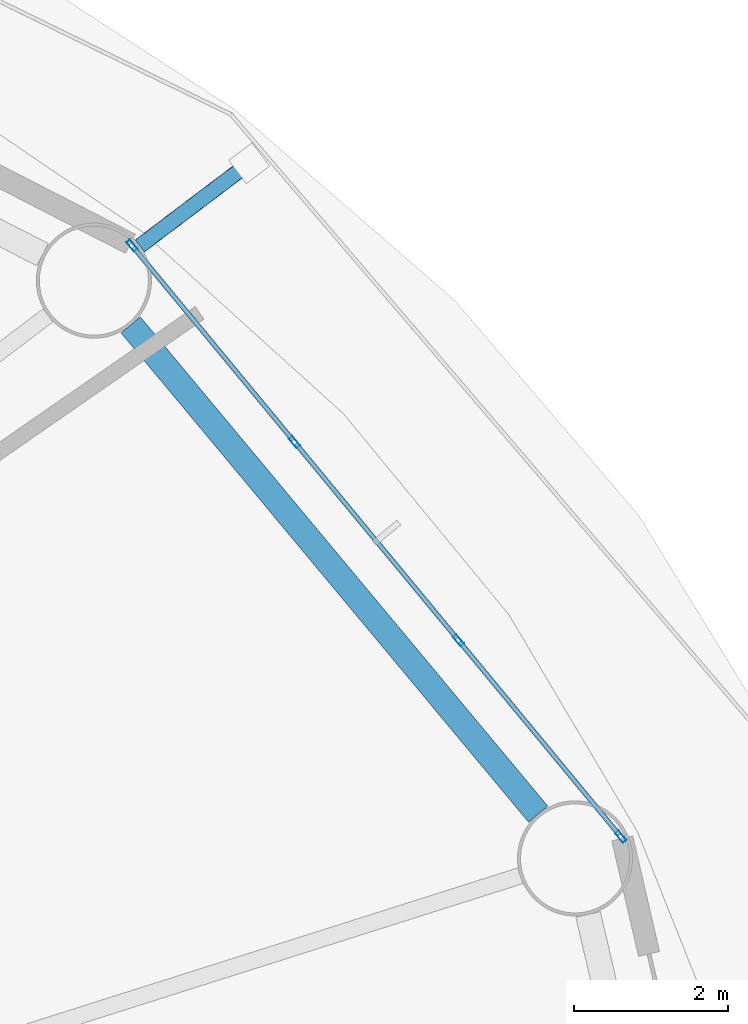
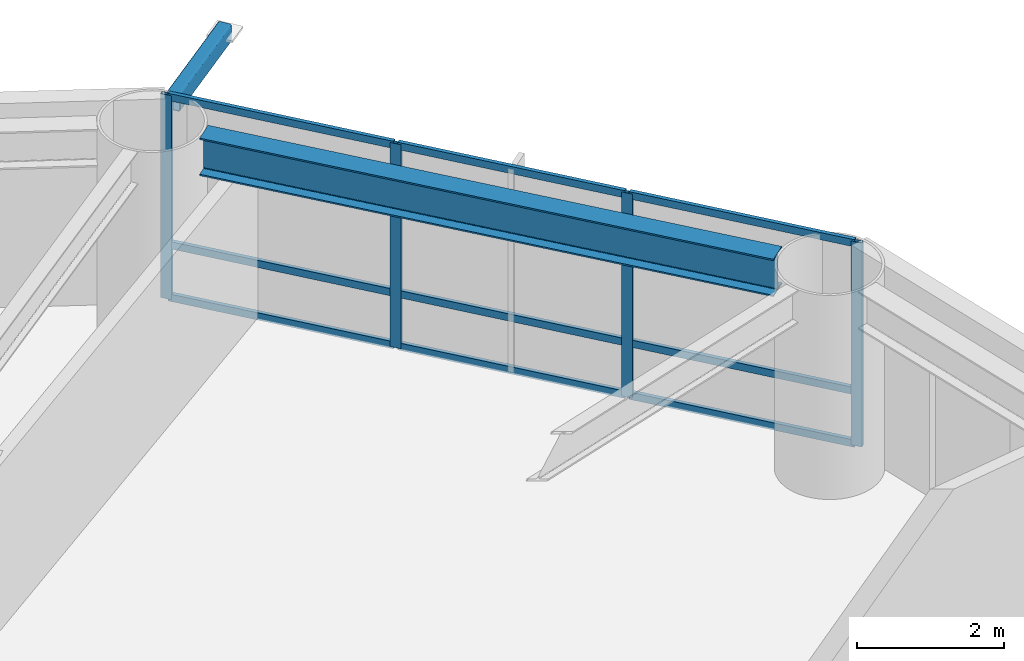
# One storey, part 14 of 28: 14 members, 1 beam, 1 element without a shape of its own.
"""IFC4 building model written with IfcOpenShell, lengths in metres."""

from ifc_helpers import new_model, si_unit, direction, frame, origin, origin_2d, place, context, subcontext, project, spatial, hollow_rectangle, i_section, extrude, material, layer, layer_set, material_profile, profile_set, type_object, element, aggregate, save


model = new_model("IFC4")

# Units and contexts
model_context = context("Model", 3, precision=1e-05, world=origin(), true_north=direction((0.0, 1.0)))
body_context = subcontext(model_context, "Body", "Model", "MODEL_VIEW")
ifc_project = project(units=[si_unit("LENGTHUNIT", "METRE"), si_unit("AREAUNIT", "SQUARE_METRE"), si_unit("VOLUMEUNIT", "CUBIC_METRE"), si_unit("PLANEANGLEUNIT", "RADIAN"), si_unit("MASSUNIT", "GRAM", prefix="KILO")], contexts=[model_context])

# Site, building, storey
site_placement = place(None, origin())
site = spatial("IfcSite", under=ifc_project, at=site_placement, CompositionType="ELEMENT")
building_placement = place(site_placement, origin())
building = spatial("IfcBuilding", under=site, at=building_placement, Name="Sarneth Arch Tower", CompositionType="ELEMENT")
storey_placement = place(building_placement, frame((0.0, 0.0, 67.800048828125)))
storey = spatial("IfcBuildingStorey", under=building, at=storey_placement, Name="L16", CompositionType="ELEMENT", Elevation=67.800048828125)

# Beam
ifc_material_1 = material(Name="Steel S355", Category="steel")
ifc_material_profile_1 = material_profile(ifc_material_1, i_section(OverallWidth=0.326904296875, OverallDepth=0.6220703125, WebThickness=0.015380859375, FlangeThickness=0.0244140625, FilletRadius=0.01904296875, at=origin_2d()), Name="W610x195")
ifc_profile_set_1 = profile_set([ifc_material_profile_1], Name="Steel S355")
beam_type = type_object("IfcBeamType", Name="BM-SPAN-610A", PredefinedType="SPANDREL", material=ifc_profile_set_1)
beam_placement = place(storey_placement, frame((75.485595703125, 51.45458984375, 3.06884765625), z_axis=(-0.639981736251, 0.768390120489, 0.0), x_axis=(-0.768390120489, -0.639981736251, 0.0)))
element("IfcBeam", 1, at=beam_placement, inside=storey, type_object=beam_type, Name="L16 Perimeter spandrel beam 02", PredefinedType="SPANDREL", context=body_context, shape_type="SweptSolid", body=[
    extrude(i_section(OverallWidth=0.326904296875, OverallDepth=0.6220703125, WebThickness=0.015380859375, FlangeThickness=0.0244140625, FilletRadius=0.01904296875, at=origin_2d()), origin(), (0.0, 0.0, 1.0), 8.29541015625),
])

# Curtain wall, members
ifc_material_2 = material(Name="Anodised aluminium Type AA25 and solar-control low-e laminated IGU", Category="aluminium")
ifc_layer = layer(ifc_material_2, 0.159912109375)
ifc_layer_set = layer_set([ifc_layer], Name="Anodised aluminium Type AA25 and solar-control low-e laminated IGU")
curtain_wall_type = type_object("IfcCurtainWallType", Name="CW-HOTEL-LOW", PredefinedType="NOTDEFINED", material=ifc_layer_set)
curtain_wall_placement = place(storey_placement, origin())
curtain_wall = element("IfcCurtainWall", 2, at=curtain_wall_placement, inside=storey, type_object=curtain_wall_type, Name="L16 Unitised curtain wall facet 02", PredefinedType="NOTDEFINED")
ifc_material_3 = material(Name="Anodised Aluminium 6063-T6", Category="aluminium")
ifc_material_profile_2 = material_profile(ifc_material_3, hollow_rectangle(XDim=0.06005859375, YDim=0.159912109375, WallThickness=0.00390625, at=origin_2d()), Name="AL-MULL-160x60x4")
ifc_profile_set_2 = profile_set([ifc_material_profile_2], Name="Anodised Aluminium 6063-T6")
member_type_1 = type_object("IfcMemberType", Name="CW-MULLION", PredefinedType="MULLION", material=ifc_profile_set_2)
member_1_placement = place(storey_placement, frame((76.561767578125, 51.16162109375, 0.0), z_axis=(0.0, 0.0, 1.0), x_axis=(-0.770622960278, -0.637291340827, 0.0)))
member_1 = element("IfcMember", 3, at=member_1_placement, type_object=member_type_1, Name="CW-SYS-3 mullion 1", PredefinedType="MULLION", context=body_context, shape_type="SweptSolid", body=[
    extrude(hollow_rectangle(XDim=0.06005859375, YDim=0.159912109375, WallThickness=0.00390625, at=origin_2d()), origin(), (0.0, 0.0, 1.0), 3.3798828125),
])
member_2_placement = place(storey_placement, frame((74.4453125, 53.720947265625, 0.0), z_axis=(0.0, 0.0, 1.0), x_axis=(-0.770622960278, -0.637291340827, 0.0)))
member_2 = element("IfcMember", 4, at=member_2_placement, type_object=member_type_1, Name="CW-SYS-3 mullion 2", PredefinedType="MULLION", context=body_context, shape_type="SweptSolid", body=[
    extrude(hollow_rectangle(XDim=0.06005859375, YDim=0.159912109375, WallThickness=0.00390625, at=origin_2d()), origin(), (0.0, 0.0, 1.0), 3.3798828125),
])
member_3_placement = place(storey_placement, frame((72.309814453125, 56.30322265625, 0.0), z_axis=(0.0, 0.0, 1.0), x_axis=(-0.770622960278, -0.637291340827, 0.0)))
member_3 = element("IfcMember", 5, at=member_3_placement, type_object=member_type_1, Name="CW-SYS-3 mullion 3", PredefinedType="MULLION", context=body_context, shape_type="SweptSolid", body=[
    extrude(hollow_rectangle(XDim=0.06005859375, YDim=0.159912109375, WallThickness=0.00390625, at=origin_2d()), origin(), (0.0, 0.0, 1.0), 3.3798828125),
])
member_4_placement = place(storey_placement, frame((70.193359375, 58.862548828125, 0.0), z_axis=(0.0, 0.0, 1.0), x_axis=(-0.770622960278, -0.637291340827, 0.0)))
member_4 = element("IfcMember", 6, at=member_4_placement, type_object=member_type_1, Name="CW-SYS-3 mullion 4", PredefinedType="MULLION", context=body_context, shape_type="SweptSolid", body=[
    extrude(hollow_rectangle(XDim=0.06005859375, YDim=0.159912109375, WallThickness=0.00390625, at=origin_2d()), origin(), (0.0, 0.0, 1.0), 3.3798828125),
])
ifc_material_4 = material(Name="Anodised Aluminium 6063-T6", Category="aluminium")
ifc_material_profile_3 = material_profile(ifc_material_4, hollow_rectangle(XDim=0.06005859375, YDim=0.1201171875, WallThickness=0.00390625, at=origin_2d()), Name="AL-TRAN-120x60x4")
ifc_profile_set_3 = profile_set([ifc_material_profile_3], Name="Anodised Aluminium 6063-T6")
member_type_2 = type_object("IfcMemberType", Name="CW-TRANSOM", PredefinedType="USERDEFINED", material=ifc_profile_set_3)
member_5_placement = place(storey_placement, frame((76.542724609375, 51.184814453125, 0.030029296875), z_axis=(-0.63733019572, 0.77059082633, 0.0), x_axis=(-0.77059082633, -0.63733019572, 0.0)))
member_5 = element("IfcMember", 7, at=member_5_placement, type_object=member_type_2, Name="CW-SYS-3 transom 1.1", ObjectType="TRANSOM", PredefinedType="USERDEFINED", context=body_context, shape_type="SweptSolid", body=[
    extrude(hollow_rectangle(XDim=0.06005859375, YDim=0.1201171875, WallThickness=0.00390625, at=origin_2d()), origin(), (0.0, 0.0, 1.0), 3.260986328125),
])
member_6_placement = place(storey_placement, frame((76.542724609375, 51.184814453125, 0.89990234375), z_axis=(-0.63733019572, 0.77059082633, 0.0), x_axis=(-0.77059082633, -0.63733019572, 0.0)))
member_6 = element("IfcMember", 8, at=member_6_placement, type_object=member_type_2, Name="CW-SYS-3 transom 1.2", ObjectType="TRANSOM", PredefinedType="USERDEFINED", context=body_context, shape_type="SweptSolid", body=[
    extrude(hollow_rectangle(XDim=0.06005859375, YDim=0.1201171875, WallThickness=0.00390625, at=origin_2d()), origin(), (0.0, 0.0, 1.0), 3.260986328125),
])
member_7_placement = place(storey_placement, frame((76.542724609375, 51.184814453125, 3.349853515625), z_axis=(-0.63733019572, 0.77059082633, 0.0), x_axis=(-0.77059082633, -0.63733019572, 0.0)))
member_7 = element("IfcMember", 9, at=member_7_placement, type_object=member_type_2, Name="CW-SYS-3 transom 1.3", ObjectType="TRANSOM", PredefinedType="USERDEFINED", context=body_context, shape_type="SweptSolid", body=[
    extrude(hollow_rectangle(XDim=0.06005859375, YDim=0.1201171875, WallThickness=0.00390625, at=origin_2d()), origin(), (0.0, 0.0, 1.0), 3.260986328125),
])
member_8_placement = place(storey_placement, frame((74.42626953125, 53.743896484375, 0.030029296875), z_axis=(-0.637268595771, 0.770641769465, 0.0), x_axis=(-0.770641769465, -0.637268595771, 0.0)))
member_8 = element("IfcMember", 10, at=member_8_placement, type_object=member_type_2, Name="CW-SYS-3 transom 2.1", ObjectType="TRANSOM", PredefinedType="USERDEFINED", context=body_context, shape_type="SweptSolid", body=[
    extrude(hollow_rectangle(XDim=0.06005859375, YDim=0.1201171875, WallThickness=0.00390625, at=origin_2d()), origin(), (0.0, 0.0, 1.0), 3.291259765625),
])
member_9_placement = place(storey_placement, frame((74.42626953125, 53.743896484375, 0.89990234375), z_axis=(-0.637268595771, 0.770641769465, 0.0), x_axis=(-0.770641769465, -0.637268595771, 0.0)))
member_9 = element("IfcMember", 11, at=member_9_placement, type_object=member_type_2, Name="CW-SYS-3 transom 2.2", ObjectType="TRANSOM", PredefinedType="USERDEFINED", context=body_context, shape_type="SweptSolid", body=[
    extrude(hollow_rectangle(XDim=0.06005859375, YDim=0.1201171875, WallThickness=0.00390625, at=origin_2d()), origin(), (0.0, 0.0, 1.0), 3.291259765625),
])
member_10_placement = place(storey_placement, frame((74.42626953125, 53.743896484375, 3.349853515625), z_axis=(-0.637268595771, 0.770641769465, 0.0), x_axis=(-0.770641769465, -0.637268595771, 0.0)))
member_10 = element("IfcMember", 12, at=member_10_placement, type_object=member_type_2, Name="CW-SYS-3 transom 2.3", ObjectType="TRANSOM", PredefinedType="USERDEFINED", context=body_context, shape_type="SweptSolid", body=[
    extrude(hollow_rectangle(XDim=0.06005859375, YDim=0.1201171875, WallThickness=0.00390625, at=origin_2d()), origin(), (0.0, 0.0, 1.0), 3.291259765625),
])
member_11_placement = place(storey_placement, frame((72.29052734375, 56.326416015625, 0.030029296875), z_axis=(-0.637285736625, 0.770627594817, 0.0), x_axis=(-0.770627594817, -0.637285736625, 0.0)))
member_11 = element("IfcMember", 13, at=member_11_placement, type_object=member_type_2, Name="CW-SYS-3 transom 3.1", ObjectType="TRANSOM", PredefinedType="USERDEFINED", context=body_context, shape_type="SweptSolid", body=[
    extrude(hollow_rectangle(XDim=0.06005859375, YDim=0.1201171875, WallThickness=0.00390625, at=origin_2d()), origin(), (0.0, 0.0, 1.0), 3.260986328125),
])
member_12_placement = place(storey_placement, frame((72.29052734375, 56.326416015625, 0.89990234375), z_axis=(-0.637285736625, 0.770627594817, 0.0), x_axis=(-0.770627594817, -0.637285736625, 0.0)))
member_12 = element("IfcMember", 14, at=member_12_placement, type_object=member_type_2, Name="CW-SYS-3 transom 3.2", ObjectType="TRANSOM", PredefinedType="USERDEFINED", context=body_context, shape_type="SweptSolid", body=[
    extrude(hollow_rectangle(XDim=0.06005859375, YDim=0.1201171875, WallThickness=0.00390625, at=origin_2d()), origin(), (0.0, 0.0, 1.0), 3.260986328125),
])
member_13_placement = place(storey_placement, frame((72.29052734375, 56.326416015625, 3.349853515625), z_axis=(-0.637285736625, 0.770627594817, 0.0), x_axis=(-0.770627594817, -0.637285736625, 0.0)))
member_13 = element("IfcMember", 15, at=member_13_placement, type_object=member_type_2, Name="CW-SYS-3 transom 3.3", ObjectType="TRANSOM", PredefinedType="USERDEFINED", context=body_context, shape_type="SweptSolid", body=[
    extrude(hollow_rectangle(XDim=0.06005859375, YDim=0.1201171875, WallThickness=0.00390625, at=origin_2d()), origin(), (0.0, 0.0, 1.0), 3.260986328125),
])
aggregate(curtain_wall, [member_1, member_2, member_3, member_4, member_5, member_6, member_7, member_8, member_9, member_10, member_11, member_12, member_13])

# Member
ifc_material_5 = material(Name="Steel S355", Category="steel")
ifc_material_profile_4 = material_profile(ifc_material_5, hollow_rectangle(XDim=0.199951171875, YDim=0.300048828125, WallThickness=0.012451171875, InnerFilletRadius=0.018798828125, OuterFilletRadius=0.03125, at=origin_2d()), Name="RHS300x200x12.5")
ifc_profile_set_4 = profile_set([ifc_material_profile_4], Name="Steel S355")
member_type_3 = type_object("IfcMemberType", Name="MEM-CANT-STRUT", PredefinedType="STRUT", material=ifc_profile_set_4)
member_14_placement = place(storey_placement, frame((70.294921875, 58.857177734375, 3.219970703125), z_axis=(0.797665744008, 0.603099793431, 0.0), x_axis=(-0.603099793431, 0.797665744008, 0.0)))
element("IfcMember", 16, at=member_14_placement, inside=storey, type_object=member_type_3, Name="L16 Balcony cantilever bracket 03", PredefinedType="STRUT", context=body_context, shape_type="SweptSolid", body=[
    extrude(hollow_rectangle(XDim=0.199951171875, YDim=0.300048828125, WallThickness=0.012451171875, InnerFilletRadius=0.018798828125, OuterFilletRadius=0.03125, at=origin_2d()), origin(), (0.0, 0.0, 1.0), 1.786865234375),
])

save(model, "model.ifc")
